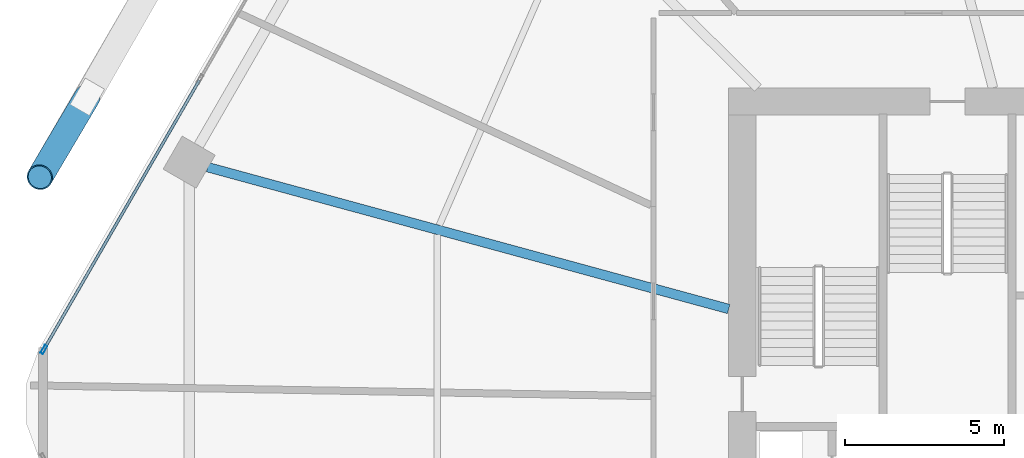
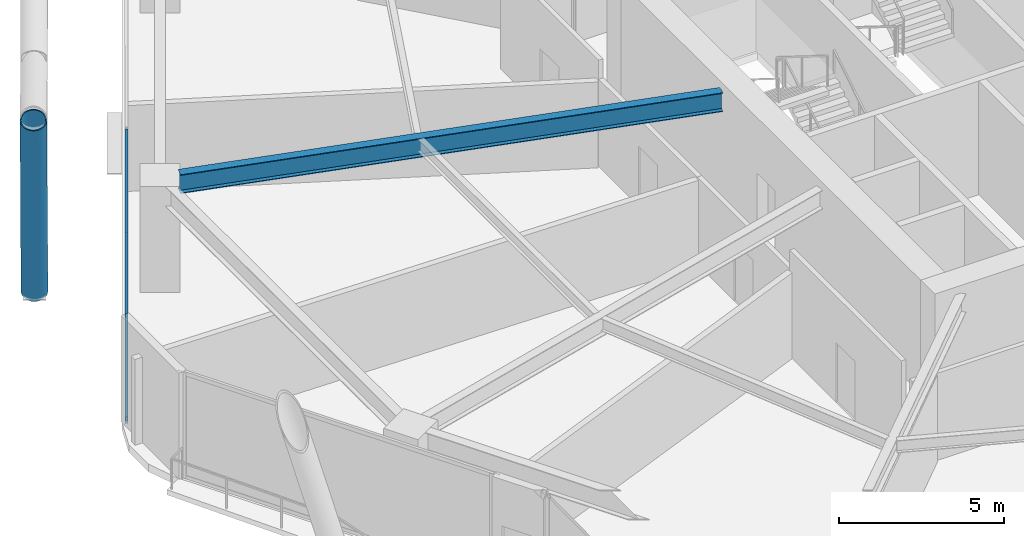
# One storey, part 13 of 30: 4 members, 1 beam, 1 element without a shape of its own.
"""IFC4 building model written with IfcOpenShell, lengths in metres."""

from ifc_helpers import new_model, si_unit, direction, frame, origin, origin_2d, place, context, subcontext, project, spatial, hollow_rectangle, hollow_circle, i_section, extrude, material, material_profile, profile_set, type_object, element, aggregate, save


model = new_model("IFC4")

# Units and contexts
model_context = context("Model", 3, precision=1e-05, world=origin(), true_north=direction((0.0, 1.0)))
body_context = subcontext(model_context, "Body", "Model", "MODEL_VIEW")
ifc_project = project(units=[si_unit("LENGTHUNIT", "METRE"), si_unit("AREAUNIT", "SQUARE_METRE"), si_unit("VOLUMEUNIT", "CUBIC_METRE"), si_unit("PLANEANGLEUNIT", "RADIAN"), si_unit("MASSUNIT", "GRAM", prefix="KILO")], contexts=[model_context])

# Site, building, storey
site_placement = place(None, origin())
site = spatial("IfcSite", under=ifc_project, at=site_placement, CompositionType="ELEMENT")
building_placement = place(site_placement, origin())
building = spatial("IfcBuilding", under=site, at=building_placement, Name="Zuhravey Tower", CompositionType="ELEMENT")
storey_placement = place(building_placement, frame((0.0, 0.0, 16.199951171875)))
storey = spatial("IfcBuildingStorey", under=building, at=storey_placement, Name="L04", CompositionType="ELEMENT", Elevation=16.199951171875)

# Curtain wall, members
ifc_material_1 = material(Name="Thermally broken anodised aluminium", Category="aluminium")
curtain_wall_type = type_object("IfcCurtainWallType", Name="School Low-E Unitised Curtain Wall CW1", PredefinedType="NOTDEFINED", material=ifc_material_1)
curtain_wall_placement = place(storey_placement, origin())
curtain_wall = element("IfcCurtainWall", 1, at=curtain_wall_placement, inside=storey, type_object=curtain_wall_type, Name="L04 CW1 CW-L04-F3-1", PredefinedType="NOTDEFINED")
ifc_material_2 = material(Name="Anodised aluminium", Category="aluminium")
ifc_material_profile_1 = material_profile(ifc_material_2, hollow_rectangle(XDim=0.090087890625, YDim=0.284912109375, WallThickness=0.0048828125, at=origin_2d()), Name="ALU-RHS-90x285x5")
ifc_profile_set_1 = profile_set([ifc_material_profile_1], Name="Anodised aluminium")
member_type_1 = type_object("IfcMemberType", Name="Curtain-Wall Mullion 90x180", PredefinedType="MULLION", material=ifc_profile_set_1)
member_1_placement = place(storey_placement, frame((3.5439453125, 33.701416015625, 0.0), z_axis=(0.0, 0.0, 1.0), x_axis=(-0.86602552265, 0.499999794119, 0.0)))
member_1 = element("IfcMember", 2, at=member_1_placement, type_object=member_type_1, Name="CW1 mullion 1", PredefinedType="MULLION", context=body_context, shape_type="SweptSolid", body=[
    extrude(hollow_rectangle(XDim=0.090087890625, YDim=0.284912109375, WallThickness=0.0048828125, at=origin_2d()), origin(), (0.0, 0.0, 1.0), 3.920166015625),
])
ifc_material_profile_2 = material_profile(ifc_material_2, hollow_rectangle(XDim=0.090087890625, YDim=0.14990234375, WallThickness=0.0048828125, at=origin_2d()), Name="ALU-RHS-90x150x5")
ifc_profile_set_2 = profile_set([ifc_material_profile_2], Name="Anodised aluminium")
member_type_2 = type_object("IfcMemberType", Name="Curtain-Wall Transom 90x150", PredefinedType="USERDEFINED", material=ifc_profile_set_2)
member_2_placement = place(storey_placement, frame((3.56640625, 33.740478515625, 0.045166015625), z_axis=(0.500008393077, 0.866020557985, 0.0), x_axis=(-0.866020557985, 0.500008393077, 0.0)))
member_2 = element("IfcMember", 3, at=member_2_placement, type_object=member_type_2, Name="CW1 transom 1.1", ObjectType="TRANSOM", PredefinedType="USERDEFINED", context=body_context, shape_type="SweptSolid", body=[
    extrude(hollow_rectangle(XDim=0.090087890625, YDim=0.14990234375, WallThickness=0.0048828125, at=origin_2d()), origin(), (0.0, 0.0, 1.0), 9.731201171875),
])
member_3_placement = place(storey_placement, frame((3.56640625, 33.740478515625, 3.875), z_axis=(0.500008393077, 0.866020557985, 0.0), x_axis=(-0.866020557985, 0.500008393077, 0.0)))
member_3 = element("IfcMember", 4, at=member_3_placement, type_object=member_type_2, Name="CW1 transom 1.2", ObjectType="TRANSOM", PredefinedType="USERDEFINED", context=body_context, shape_type="SweptSolid", body=[
    extrude(hollow_rectangle(XDim=0.090087890625, YDim=0.14990234375, WallThickness=0.0048828125, at=origin_2d()), origin(), (0.0, 0.0, 1.0), 9.731201171875),
])
aggregate(curtain_wall, [member_1, member_2, member_3])

# Member
ifc_material_3 = material(Name="Steel SM460", Category="steel")
ifc_material_profile_3 = material_profile(ifc_material_3, hollow_circle(Radius=0.406494140625, WallThickness=0.035888671875, at=origin_2d()), Name="CHS-812.8x36")
ifc_profile_set_3 = profile_set([ifc_material_profile_3], Name="Steel SM460")
member_type_3 = type_object("IfcMemberType", Name="Exoskeleton Zone 1 Diagrid CHS813x36", PredefinedType="BRACE", material=ifc_profile_set_3)
member_4_placement = place(storey_placement, frame((4.904296875, 41.637451171875, -0.471923828125), z_axis=(-0.168257085862, -0.284647311923, 0.943750740859), x_axis=(0.860851811268, -0.508855734995, 0.0)))
element("IfcMember", 5, at=member_4_placement, inside=storey, type_object=member_type_3, Name="L04 Face 3 Diagrid Brace 4", PredefinedType="BRACE", context=body_context, shape_type="SweptSolid", body=[
    extrude(hollow_circle(Radius=0.406494140625, WallThickness=0.035888671875, at=origin_2d()), origin(), (0.0, 0.0, 1.0), 8.85400390625),
])

# Beam
ifc_material_4 = material(Name="Steel SM355", Category="steel")
ifc_material_profile_4 = material_profile(ifc_material_4, i_section(OverallWidth=0.300048828125, OverallDepth=0.699951171875, WebThickness=0.012939453125, FlangeThickness=0.02392578125, at=origin_2d()), Name="H-700x300x13x24")
ifc_profile_set_4 = profile_set([ifc_material_profile_4], Name="Steel SM355")
beam_type = type_object("IfcBeamType", Name="Radial Primary Girder H700x300", PredefinedType="BEAM", material=ifc_profile_set_4)
beam_placement = place(storey_placement, frame((25.072021484375, 34.974609375, 3.570068359375), z_axis=(-0.964892480455, 0.26264520015, 0.0), x_axis=(-0.26264520015, -0.964892480455, 0.0)))
element("IfcBeam", 6, at=beam_placement, inside=storey, type_object=beam_type, Name="L04 RG1 BM-L04-RAD-06", PredefinedType="BEAM", context=body_context, shape_type="SweptSolid", body=[
    extrude(i_section(OverallWidth=0.300048828125, OverallDepth=0.699951171875, WebThickness=0.012939453125, FlangeThickness=0.02392578125, at=origin_2d()), origin(), (0.0, 0.0, 1.0), 16.975341796875),
])

save(model, "model.ifc")
